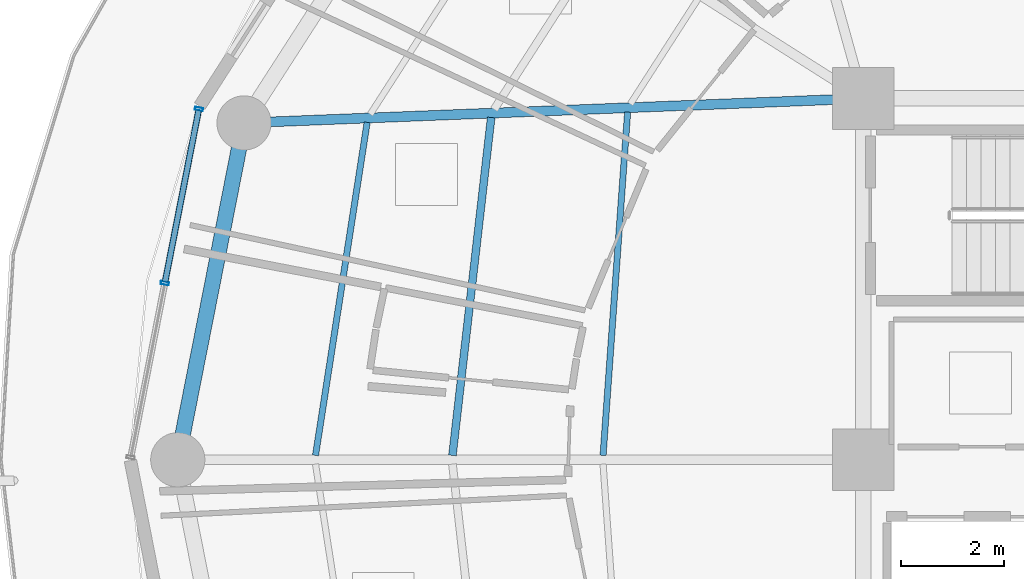
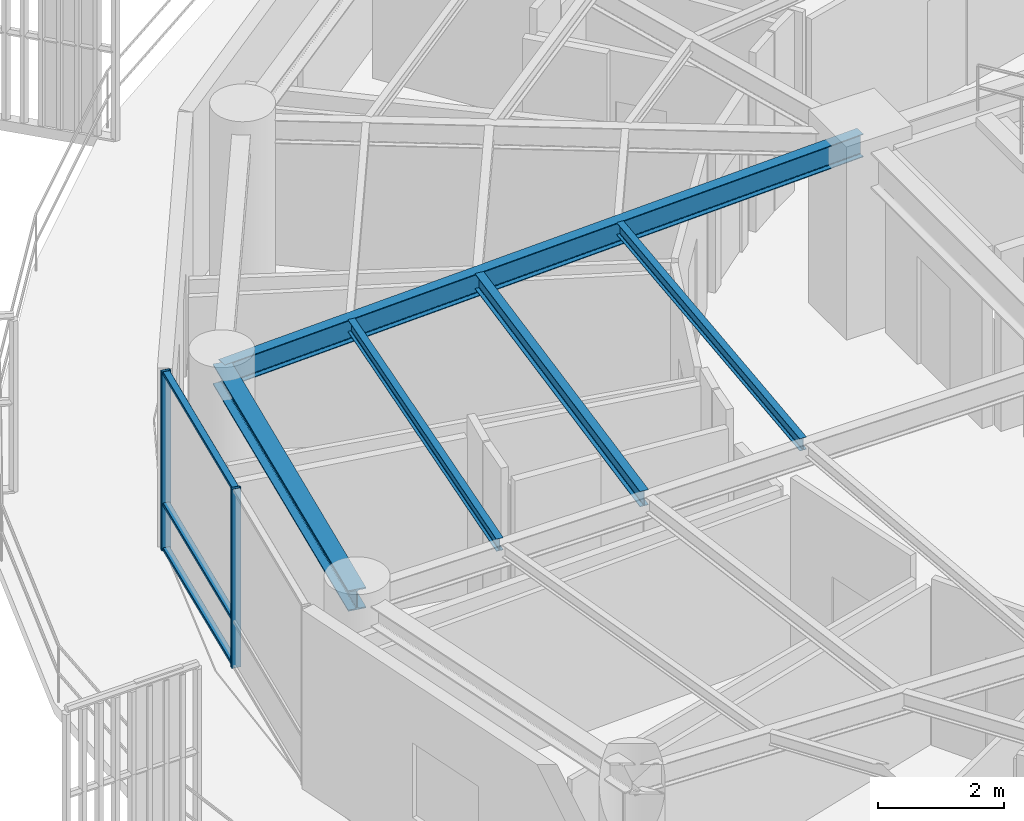
# One storey, part 8 of 31: 5 beams, 5 members, 1 element without a shape of its own.
"""IFC4 building model written with IfcOpenShell, lengths in metres."""

from ifc_helpers import new_model, si_unit, direction, frame, origin, origin_2d, place, context, subcontext, project, spatial, hollow_rectangle, i_section, extrude, material, layer, layer_set, material_profile, profile_set, type_object, element, aggregate, save


model = new_model("IFC4")

# Units and contexts
model_context = context("Model", 3, precision=1e-05, world=origin(), true_north=direction((0.0, 1.0)))
body_context = subcontext(model_context, "Body", "Model", "MODEL_VIEW")
ifc_project = project(units=[si_unit("LENGTHUNIT", "METRE"), si_unit("AREAUNIT", "SQUARE_METRE"), si_unit("VOLUMEUNIT", "CUBIC_METRE"), si_unit("PLANEANGLEUNIT", "RADIAN"), si_unit("MASSUNIT", "GRAM", prefix="KILO")], contexts=[model_context])

# Site, building, storey
site_placement = place(None, origin())
site = spatial("IfcSite", under=ifc_project, at=site_placement, CompositionType="ELEMENT")
building_placement = place(site_placement, origin())
building = spatial("IfcBuilding", under=site, at=building_placement, Name="Kelanora Arch Commons", CompositionType="ELEMENT")
storey_placement = place(building_placement, frame((0.0, 0.0, 200.699951171875)))
storey = spatial("IfcBuildingStorey", under=building, at=storey_placement, Name="L51", CompositionType="ELEMENT", Elevation=200.699951171875)

# Beams
ifc_material_1 = material(Name="Steel S355", Category="steel")
ifc_material_profile_1 = material_profile(ifc_material_1, i_section(OverallWidth=0.14990234375, OverallDepth=0.300048828125, WebThickness=0.007080078125, FlangeThickness=0.0107421875, FilletRadius=0.014892578125, at=origin_2d()), Name="IPE300")
ifc_profile_set_1 = profile_set([ifc_material_profile_1], Name="Steel S355")
beam_type_1 = type_object("IfcBeamType", Name="BM-JST-01", PredefinedType="JOIST", material=ifc_profile_set_1)
beam_1_placement = place(storey_placement, frame((58.792236328125, 64.631103515625, 3.340087890625), z_axis=(-0.113891408177, -0.993493204377, 0.0), x_axis=(0.993493204377, -0.113891408177, 0.0)))
element("IfcBeam", 1, at=beam_1_placement, inside=storey, type_object=beam_type_1, Name="Secondary Chord Joist BJB-16 L51", PredefinedType="JOIST", context=body_context, shape_type="SweptSolid", body=[
    extrude(i_section(OverallWidth=0.14990234375, OverallDepth=0.300048828125, WebThickness=0.007080078125, FlangeThickness=0.0107421875, FilletRadius=0.014892578125, at=origin_2d()), origin(), (0.0, 0.0, 1.0), 6.589599609375),
])
ifc_material_profile_2 = material_profile(ifc_material_1, i_section(OverallWidth=0.1201171875, OverallDepth=0.239990234375, WebThickness=0.006103515625, FlangeThickness=0.009765625, FilletRadius=0.014892578125, at=origin_2d()), Name="IPE240")
ifc_profile_set_2 = profile_set([ifc_material_profile_2], Name="Steel S355")
beam_type_2 = type_object("IfcBeamType", Name="BM-JST-02", PredefinedType="JOIST", material=ifc_profile_set_2)
beam_2_placement = place(storey_placement, frame((61.435302734375, 64.735107421875, 3.3701171875), z_axis=(-0.07133032136, -0.997452748382, 0.0), x_axis=(0.997452748382, -0.07133032136, 0.0)))
element("IfcBeam", 2, at=beam_2_placement, inside=storey, type_object=beam_type_2, Name="Secondary Chord Joist BJA-16 L51", PredefinedType="JOIST", context=body_context, shape_type="SweptSolid", body=[
    extrude(i_section(OverallWidth=0.1201171875, OverallDepth=0.239990234375, WebThickness=0.006103515625, FlangeThickness=0.009765625, FilletRadius=0.014892578125, at=origin_2d()), origin(), (0.0, 0.0, 1.0), 6.66748046875),
])
beam_3_placement = place(storey_placement, frame((56.3896484375, 64.53662109375, 3.3701171875), z_axis=(-0.153256756152, -0.988186402808, 0.0), x_axis=(0.988186402808, -0.153256756152, 0.0)))
element("IfcBeam", 3, at=beam_3_placement, inside=storey, type_object=beam_type_2, Name="Secondary Chord Joist BJC-16 L51", PredefinedType="JOIST", context=body_context, shape_type="SweptSolid", body=[
    extrude(i_section(OverallWidth=0.1201171875, OverallDepth=0.239990234375, WebThickness=0.006103515625, FlangeThickness=0.009765625, FilletRadius=0.014892578125, at=origin_2d()), origin(), (0.0, 0.0, 1.0), 6.52978515625),
])
ifc_material_profile_3 = material_profile(ifc_material_1, i_section(OverallWidth=0.18994140625, OverallDepth=0.449951171875, WebThickness=0.009521484375, FlangeThickness=0.0146484375, FilletRadius=0.02099609375, at=origin_2d()), Name="IPE450")
ifc_profile_set_3 = profile_set([ifc_material_profile_3], Name="Steel S355")
beam_type_3 = type_object("IfcBeamType", Name="BM-RAD-Z4", PredefinedType="BEAM", material=ifc_profile_set_3)
beam_4_placement = place(storey_placement, frame((66.0, 65.0, 3.26513671875), z_axis=(-0.999219142585, -0.03951082246, 0.0), x_axis=(0.03951082246, -0.999219142585, 0.0)))
element("IfcBeam", 4, at=beam_4_placement, inside=storey, type_object=beam_type_3, Name="Radial Floor Girder BR-16 L51", PredefinedType="BEAM", context=body_context, shape_type="SweptSolid", body=[
    extrude(i_section(OverallWidth=0.18994140625, OverallDepth=0.449951171875, WebThickness=0.009521484375, FlangeThickness=0.0146484375, FilletRadius=0.02099609375, at=origin_2d()), origin(), (0.0, 0.0, 1.0), 12.005859375),
])
ifc_material_profile_4 = material_profile(ifc_material_1, i_section(OverallWidth=0.300048828125, OverallDepth=0.39990234375, WebThickness=0.013427734375, FlangeThickness=0.02392578125, FilletRadius=0.027099609375, at=origin_2d()), Name="HEB400")
ifc_profile_set_4 = profile_set([ifc_material_profile_4], Name="Steel S355")
beam_type_4 = type_object("IfcBeamType", Name="BM-SPN-Z4", PredefinedType="SPANDREL", material=ifc_profile_set_4)
beam_5_placement = place(storey_placement, frame((54.00341796875, 64.525634765625, 3.2900390625), z_axis=(-0.192980724826, -0.981202547819, 0.0), x_axis=(0.981202547819, -0.192980724826, 0.0)))
element("IfcBeam", 5, at=beam_5_placement, inside=storey, type_object=beam_type_4, Name="Perimeter Spandrel Beam BS-16 L51", PredefinedType="SPANDREL", context=body_context, shape_type="SweptSolid", body=[
    extrude(i_section(OverallWidth=0.300048828125, OverallDepth=0.39990234375, WebThickness=0.013427734375, FlangeThickness=0.02392578125, FilletRadius=0.027099609375, at=origin_2d()), origin(), (0.0, 0.0, 1.0), 6.650634765625),
])

# Curtain wall, members
ifc_material_2 = material(Name="Terracotta ceramic-fritted low-E glass and aluminium", Category="masonry")
ifc_layer = layer(ifc_material_2, 0.175048828125)
ifc_layer_set = layer_set([ifc_layer], Name="Terracotta ceramic-fritted low-E glass and aluminium")
curtain_wall_type = type_object("IfcCurtainWallType", Name="CW-SYS-02", PredefinedType="NOTDEFINED", material=ifc_layer_set)
curtain_wall_placement = place(storey_placement, origin())
curtain_wall = element("IfcCurtainWall", 6, at=curtain_wall_placement, inside=storey, type_object=curtain_wall_type, Name="Unitised Curtain Wall L51-B08", PredefinedType="NOTDEFINED")
ifc_material_3 = material(Name="Powder-coated aluminium terracotta", Category="masonry")
ifc_material_profile_5 = material_profile(ifc_material_3, hollow_rectangle(XDim=0.159912109375, YDim=0.06005859375, WallThickness=0.0048828125, InnerFilletRadius=0.0048828125, OuterFilletRadius=0.010009765625, at=origin_2d()), Name="CWM160x60")
ifc_profile_set_5 = profile_set([ifc_material_profile_5], Name="Powder-coated aluminium terracotta")
member_type_1 = type_object("IfcMemberType", Name="CWM-STD", PredefinedType="MULLION", material=ifc_profile_set_5)
member_1_placement = place(storey_placement, frame((53.130126953125, 64.796142578125, 0.0), z_axis=(0.0, 0.0, 1.0), x_axis=(0.981381438349, -0.192068926335, 0.0)))
member_1 = element("IfcMember", 7, at=member_1_placement, type_object=member_type_1, Name="CW-02 mullion 1", PredefinedType="MULLION", context=body_context, shape_type="SweptSolid", body=[
    extrude(hollow_rectangle(XDim=0.159912109375, YDim=0.06005859375, WallThickness=0.0048828125, InnerFilletRadius=0.0048828125, OuterFilletRadius=0.010009765625, at=origin_2d()), origin(), (0.0, 0.0, 1.0), 3.47509765625),
])
member_2_placement = place(storey_placement, frame((52.469482421875, 61.420166015625, 0.0), z_axis=(0.0, 0.0, 1.0), x_axis=(0.981381438349, -0.192068926335, 0.0)))
member_2 = element("IfcMember", 8, at=member_2_placement, type_object=member_type_1, Name="CW-02 mullion 2", PredefinedType="MULLION", context=body_context, shape_type="SweptSolid", body=[
    extrude(hollow_rectangle(XDim=0.159912109375, YDim=0.06005859375, WallThickness=0.0048828125, InnerFilletRadius=0.0048828125, OuterFilletRadius=0.010009765625, at=origin_2d()), origin(), (0.0, 0.0, 1.0), 3.47509765625),
])
ifc_material_profile_6 = material_profile(ifc_material_3, hollow_rectangle(XDim=0.1201171875, YDim=0.06005859375, WallThickness=0.0048828125, InnerFilletRadius=0.0048828125, OuterFilletRadius=0.010009765625, at=origin_2d()), Name="CWT120x60")
ifc_profile_set_6 = profile_set([ifc_material_profile_6], Name="Powder-coated aluminium terracotta")
member_type_2 = type_object("IfcMemberType", Name="CWT-STD", PredefinedType="USERDEFINED", material=ifc_profile_set_6)
member_3_placement = place(storey_placement, frame((53.124267578125, 64.766845703125, 0.030029296875), z_axis=(-0.192058488005, -0.981383481207, 0.0), x_axis=(0.981383481207, -0.192058488005, 0.0)))
member_3 = element("IfcMember", 9, at=member_3_placement, type_object=member_type_2, Name="CW-02 transom 1.1", ObjectType="TRANSOM", PredefinedType="USERDEFINED", context=body_context, shape_type="SweptSolid", body=[
    extrude(hollow_rectangle(XDim=0.1201171875, YDim=0.06005859375, WallThickness=0.0048828125, InnerFilletRadius=0.0048828125, OuterFilletRadius=0.010009765625, at=origin_2d()), origin(), (0.0, 0.0, 1.0), 3.380126953125),
])
member_4_placement = place(storey_placement, frame((53.124267578125, 64.766845703125, 0.900146484375), z_axis=(-0.192058488005, -0.981383481207, 0.0), x_axis=(0.981383481207, -0.192058488005, 0.0)))
member_4 = element("IfcMember", 10, at=member_4_placement, type_object=member_type_2, Name="CW-02 transom 1.2", ObjectType="TRANSOM", PredefinedType="USERDEFINED", context=body_context, shape_type="SweptSolid", body=[
    extrude(hollow_rectangle(XDim=0.1201171875, YDim=0.06005859375, WallThickness=0.0048828125, InnerFilletRadius=0.0048828125, OuterFilletRadius=0.010009765625, at=origin_2d()), origin(), (0.0, 0.0, 1.0), 3.380126953125),
])
member_5_placement = place(storey_placement, frame((53.124267578125, 64.766845703125, 3.445068359375), z_axis=(-0.192058488005, -0.981383481207, 0.0), x_axis=(0.981383481207, -0.192058488005, 0.0)))
member_5 = element("IfcMember", 11, at=member_5_placement, type_object=member_type_2, Name="CW-02 transom 1.3", ObjectType="TRANSOM", PredefinedType="USERDEFINED", context=body_context, shape_type="SweptSolid", body=[
    extrude(hollow_rectangle(XDim=0.1201171875, YDim=0.06005859375, WallThickness=0.0048828125, InnerFilletRadius=0.0048828125, OuterFilletRadius=0.010009765625, at=origin_2d()), origin(), (0.0, 0.0, 1.0), 3.380126953125),
])
aggregate(curtain_wall, [member_1, member_2, member_3, member_4, member_5])

save(model, "model.ifc")
